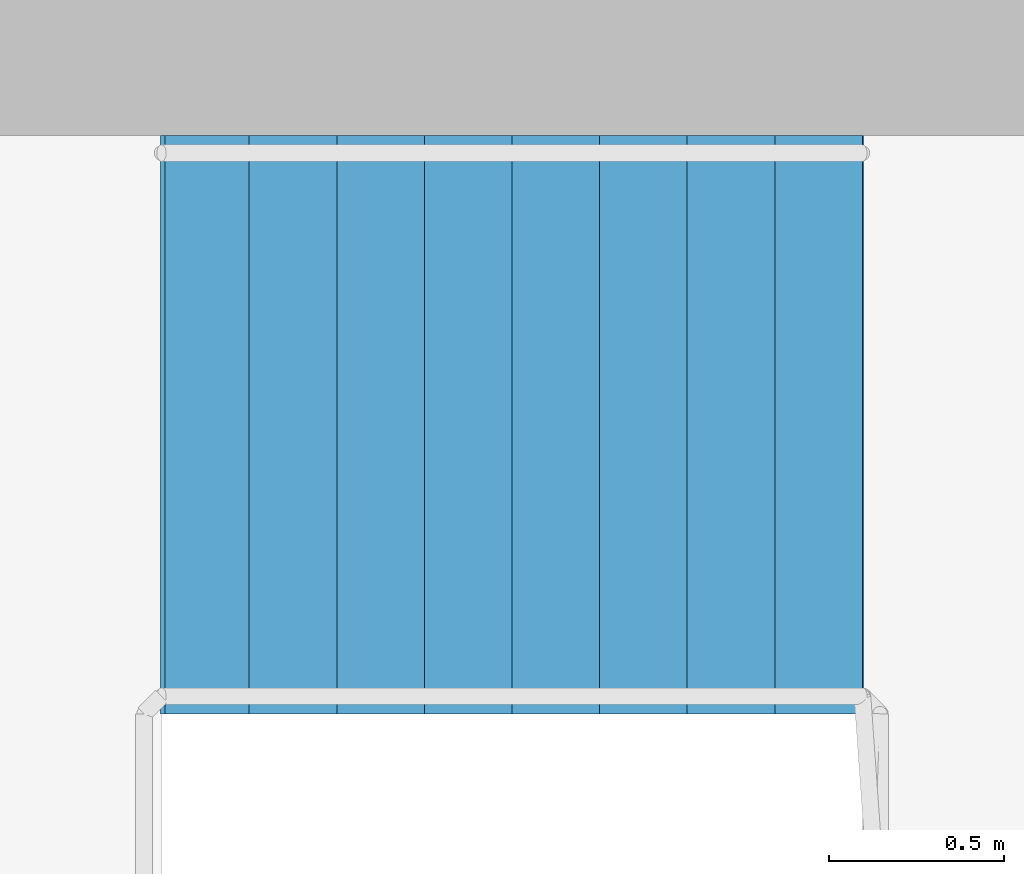
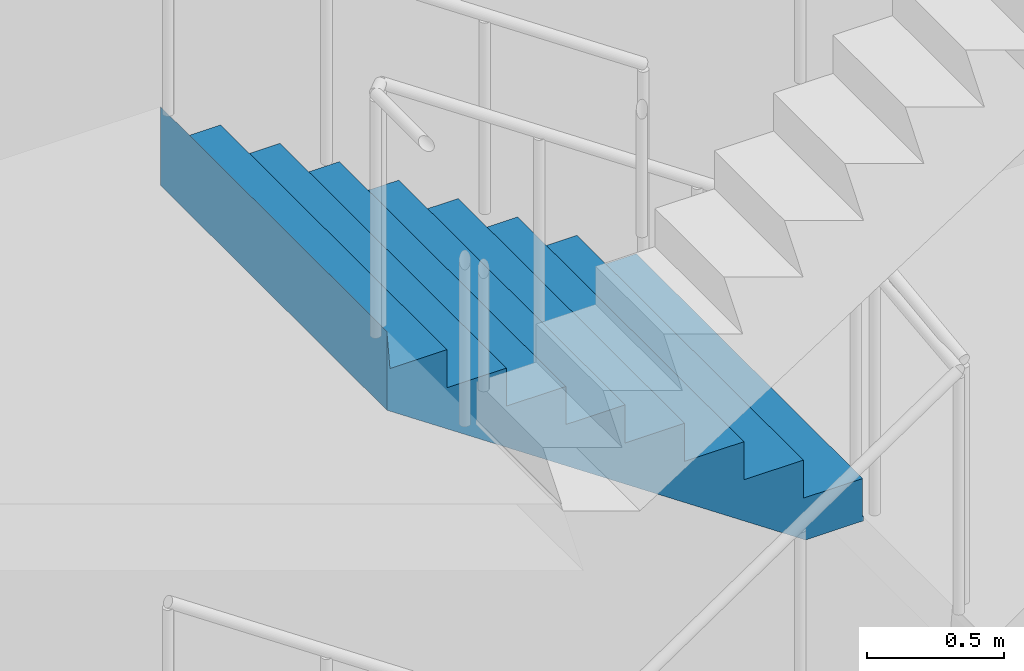
# One storey, part 18 of 20: 1 stair flight, 1 element without a shape of its own.
"""IFC4 building model written with IfcOpenShell, lengths in metres."""

import ifcopenshell
import ifcopenshell.guid

model = None  # the IFC model being written
_history = None  # IfcOwnerHistory: only IFC2X3 demands one
_inside = {}  # id of a spatial element -> (the spatial element, [elements in it])
_under = {}  # id of a project, library or spatial element -> (it, [spatial elements below it])
_declared = {}  # id of a project -> (the project, [libraries it declares])
_typed = {}  # id of a type object -> (the type object, [elements of that type])
_made_of = {}  # id of a material, layer set ... -> (it, [elements and type objects made of it])


def new_model(schema):
    """Start an empty IFC model of exactly this schema.

    Asked for "IFC4X3", IfcOpenShell would pick the latest addendum, in which some entities
    have other attributes; the version numbers below select the first issue.
    IFC2X3 requires an IfcOwnerHistory on every rooted entity: one is made here for all.
    """
    global model, _history
    if schema == "IFC4X3":
        model = ifcopenshell.file(schema_version=(4, 3, 0, 0))
    else:
        model = ifcopenshell.file(schema=schema)
    _inside.clear()
    _under.clear()
    _declared.clear()
    _typed.clear()
    _made_of.clear()
    _history = None
    if model.schema == "IFC2X3":
        org = make("IfcOrganization", Name="unknown")
        user = make(
            "IfcPersonAndOrganization",
            ThePerson=make("IfcPerson", FamilyName="unknown"),
            TheOrganization=org,
        )
        app = make(
            "IfcApplication",
            ApplicationDeveloper=org,
            Version="unknown",
            ApplicationFullName="unknown",
            ApplicationIdentifier="unknown",
        )
        _history = make(
            "IfcOwnerHistory",
            OwningUser=user,
            OwningApplication=app,
            ChangeAction="ADDED",
            CreationDate=0,
        )
    return model


def make(cls, **values):
    """One entity of the class cls with the attributes given. An attribute that is None is left unset."""
    return model.create_entity(
        cls, **{name: value for name, value in values.items() if value is not None}
    )


def rooted(cls, **values):
    """An entity with a GlobalId (a new one), such as an element, a storey or a relation."""
    return make(cls, GlobalId=ifcopenshell.guid.new(), OwnerHistory=_history, **values)


def si_unit(unit_type, name, prefix=None):
    """IfcSIUnit, for example si_unit("LENGTHUNIT", "METRE", prefix="MILLI")."""
    return make("IfcSIUnit", UnitType=unit_type, Prefix=prefix, Name=name)


def assignment(units):
    """IfcUnitAssignment: the units of a project."""
    return None if units is None else make("IfcUnitAssignment", Units=units)


def point(xyz):
    """IfcCartesianPoint."""
    return None if xyz is None else make("IfcCartesianPoint", Coordinates=xyz)


def direction(xyz):
    """IfcDirection."""
    return None if xyz is None else make("IfcDirection", DirectionRatios=xyz)


def frame(location, z_axis=None, x_axis=None):
    """IfcAxis2Placement3D, a coordinate frame: its origin and axes. An axis left out is left unset."""
    return make(
        "IfcAxis2Placement3D",
        Location=point(location),
        Axis=direction(z_axis),
        RefDirection=direction(x_axis),
    )


def origin():
    """The frame at (0, 0, 0) with its axes left unset."""
    return frame((0.0, 0.0, 0.0))


def place(relative_to, where):
    """IfcLocalPlacement: puts the frame where relative to a parent placement (None: the world)."""
    return make(
        "IfcLocalPlacement", PlacementRelTo=relative_to, RelativePlacement=where
    )


def context(
    kind, dimensions, precision=None, world=None, true_north=None, identifier=None
):
    """IfcGeometricRepresentationContext, for example the 3D "Model" context."""
    return make(
        "IfcGeometricRepresentationContext",
        ContextIdentifier=identifier,
        ContextType=kind,
        CoordinateSpaceDimension=dimensions,
        Precision=precision,
        WorldCoordinateSystem=world,
        TrueNorth=true_north,
    )


def subcontext(parent, identifier, kind, view, scale=None):
    """IfcGeometricRepresentationSubContext, for example "Body" below "Model"."""
    return make(
        "IfcGeometricRepresentationSubContext",
        ContextIdentifier=identifier,
        ContextType=kind,
        ParentContext=parent,
        TargetScale=scale,
        TargetView=view,
    )


def project(units=None, contexts=None):
    """IfcProject with its units and contexts."""
    return rooted(
        "IfcProject",
        Name="project",
        RepresentationContexts=contexts,
        UnitsInContext=assignment(units),
    )


def spatial(cls, under=None, at=None, **own):
    """A site, building, storey or space (cls), placed at a placement, below another one or the project."""
    s = rooted(cls, ObjectPlacement=at, **own)
    if under is not None:
        _under.setdefault(under.id(), (under, []))[1].append(s)
    return s


def point_list(points):
    """IfcCartesianPointList2D or 3D."""
    cls = (
        "IfcCartesianPointList2D" if len(points[0]) == 2 else "IfcCartesianPointList3D"
    )
    return make(cls, CoordList=points)


def triangles(points, corners, closed=None, point_numbers=None):
    """IfcTriangulatedFaceSet: each triangle names its three corners, points numbered from 1."""
    return make(
        "IfcTriangulatedFaceSet",
        Coordinates=point_list(points),
        Closed=closed,
        CoordIndex=corners,
        PnIndex=point_numbers,
    )


def shape(context_of_items, identifier, shape_type, items):
    """IfcShapeRepresentation: the items that make up one representation, for example the "Body"."""
    return make(
        "IfcShapeRepresentation",
        ContextOfItems=context_of_items,
        RepresentationIdentifier=identifier,
        RepresentationType=shape_type,
        Items=items,
    )


def material(Name=None, Category=None):
    """IfcMaterial."""
    return make("IfcMaterial", Name=Name, Category=Category)


def made_of(thing, what):
    """Note that an element or type object is made of a material, layer set ...; save() writes the relation."""
    if what is not None:
        _made_of.setdefault(what.id(), (what, []))[1].append(thing)
    return thing


def type_object(cls, material=None, **own):
    """A type object (cls), such as IfcWallType, which elements share."""
    return made_of(rooted(cls, **own), material)


def element(
    cls,
    number,
    at=None,
    inside=None,
    cuts=None,
    type_object=None,
    material=None,
    context=None,
    identifier="Body",
    shape_type=None,
    held_by="IfcProductDefinitionShape",
    body=None,
    shapes=None,
    **own,
):
    """One element of the class cls, such as IfcWall. Its Tag is "e" and its number.

    at: its placement. inside: the storey or other place that contains it. cuts: it is an
    opening in that element (IfcRelVoidsElement). A single representation is given by context,
    identifier, shape_type and body (its items); several are given by shapes. held_by: the class
    of the entity that holds the representations. save() writes the other relations.
    """
    e = rooted(cls, Tag="e%d" % number, ObjectPlacement=at, **own)
    if body is not None:
        shapes = [shape(context, identifier, shape_type, body)]
    if shapes is not None:
        e.Representation = make(held_by, Representations=shapes)
    if inside is not None:
        _inside.setdefault(inside.id(), (inside, []))[1].append(e)
    if cuts is not None:
        rooted(
            "IfcRelVoidsElement", RelatingBuildingElement=cuts, RelatedOpeningElement=e
        )
    if type_object is not None:
        _typed.setdefault(type_object.id(), (type_object, []))[1].append(e)
    return made_of(e, material)


def aggregate(whole, parts):
    """IfcRelAggregates: a whole, such as a stair, and the parts it consists of."""
    return rooted("IfcRelAggregates", RelatingObject=whole, RelatedObjects=parts)


def save(model, path):
    """Write the relations noted so far, then the file.

    IfcRelAggregates (storeys below a building ...), IfcRelContainedInSpatialStructure (elements
    in a storey), IfcRelDefinesByType, IfcRelAssociatesMaterial and IfcRelDeclares: one each for
    every whole, place, type object, material and project.
    """
    for whole, parts in _under.values():
        aggregate(whole, parts)
    for where, things in _inside.values():
        rooted(
            "IfcRelContainedInSpatialStructure",
            RelatedElements=things,
            RelatingStructure=where,
        )
    for kind, things in _typed.values():
        rooted("IfcRelDefinesByType", RelatedObjects=things, RelatingType=kind)
    for what, things in _made_of.values():
        rooted("IfcRelAssociatesMaterial", RelatedObjects=things, RelatingMaterial=what)
    for by, libraries in _declared.values():
        rooted("IfcRelDeclares", RelatingContext=by, RelatedDefinitions=libraries)
    model.write(path)


model = new_model("IFC4")

# Units and contexts
model_context = context("Model", 3, precision=1e-05, world=origin(), true_north=direction((0.0, 1.0)))
body_context = subcontext(model_context, "Body", "Model", "MODEL_VIEW")
ifc_project = project(units=[si_unit("LENGTHUNIT", "METRE"), si_unit("AREAUNIT", "SQUARE_METRE"), si_unit("VOLUMEUNIT", "CUBIC_METRE"), si_unit("PLANEANGLEUNIT", "RADIAN"), si_unit("MASSUNIT", "GRAM", prefix="KILO")], contexts=[model_context])

# Site, building, storey
site_placement = place(None, origin())
site = spatial("IfcSite", under=ifc_project, at=site_placement, CompositionType="ELEMENT")
building_placement = place(site_placement, origin())
building = spatial("IfcBuilding", under=site, at=building_placement, Name="Maasbend Ring Residences", CompositionType="ELEMENT")
storey_placement = place(building_placement, frame((0.0, 0.0, 255.39990234375)))
storey = spatial("IfcBuildingStorey", under=building, at=storey_placement, Name="L74", CompositionType="ELEMENT", Elevation=255.39990234375)

# Stair, stair flight
ifc_material_1 = material(Name="Concrete C40/50", Category="concrete")
stair_type = type_object("IfcStairType", Name="CORE STAIR 36 RISERS", PredefinedType="HALF_TURN_STAIR", material=ifc_material_1)
stair_placement = place(storey_placement, origin())
stair = element("IfcStair", 1, at=stair_placement, inside=storey, type_object=stair_type, Name="L74 Exit stair ST-E1", PredefinedType="HALF_TURN_STAIR")
ifc_material_2 = material(Name="Concrete C40/50", Category="concrete")
stair_flight_type = type_object("IfcStairFlightType", Name="CORE STAIR FLIGHT 1650", PredefinedType="STRAIGHT", material=ifc_material_2)
stair_flight_placement = place(storey_placement, frame((13.550048828125, 7.77490234375, 3.050048828125), z_axis=(0.0, 0.0, 1.0), x_axis=(-1.0, 0.0, 0.0)))
stair_flight = element("IfcStairFlight", 2, at=stair_flight_placement, type_object=stair_flight_type, Name="ST-E1 flight 3", NumberOfRisers=9, NumberOfTreads=8, PredefinedType="STRAIGHT", RiserHeight=0.169444444, TreadLength=0.25, context=body_context, shape_type="Tessellation", body=[
    triangles([(0.24072265625, 0.824951171875, -0.02001953125), (2.0029296875, 0.824951171875, 1.174560546875), (2.0029296875, 0.824951171875, 1.52490234375), (1.989990234375, 0.824951171875, 1.35546875), (1.75, 0.824951171875, 1.35546875), (1.75, 0.824951171875, 1.18603515625), (1.5, 0.824951171875, 1.18603515625), (1.5, 0.824951171875, 1.0166015625), (1.25, 0.824951171875, 1.0166015625), (1.25, 0.824951171875, 0.84716796875), (1.0, 0.824951171875, 0.84716796875), (1.0, 0.824951171875, 0.677734375), (0.75, 0.824951171875, 0.677734375), (0.75, 0.824951171875, 0.50830078125), (0.5, 0.824951171875, 0.50830078125), (0.5, 0.824951171875, 0.3388671875), (0.25, 0.824951171875, 0.3388671875), (0.25, 0.824951171875, 0.16943359375), (0.0, 0.824951171875, 0.16943359375), (0.0, 0.824951171875, 0.0), (-0.0029296875, 0.824951171875, 0.0), (-0.0029296875, 0.824951171875, -0.02001953125), (0.24072265625, 0.27490234375, -0.02001953125), (2.0029296875, 0.27490234375, 1.174560546875), (2.0029296875, 0.27490234375, 1.52490234375), (1.989990234375, 0.27490234375, 1.35546875), (1.75, 0.27490234375, 1.35546875), (1.75, 0.27490234375, 1.18603515625), (1.5, 0.27490234375, 1.18603515625), (1.5, 0.27490234375, 1.0166015625), (1.25, 0.27490234375, 1.0166015625), (1.25, 0.27490234375, 0.84716796875), (1.0, 0.27490234375, 0.84716796875), (1.0, 0.27490234375, 0.677734375), (0.75, 0.27490234375, 0.677734375), (0.75, 0.27490234375, 0.50830078125), (0.5, 0.27490234375, 0.50830078125), (0.5, 0.27490234375, 0.3388671875), (0.25, 0.27490234375, 0.3388671875), (0.25, 0.27490234375, 0.16943359375), (0.0, 0.27490234375, 0.16943359375), (0.0, 0.27490234375, 0.0), (-0.0029296875, 0.27490234375, 0.0), (-0.0029296875, 0.27490234375, -0.02001953125), (0.24072265625, -0.27490234375, -0.02001953125), (2.0029296875, -0.27490234375, 1.174560546875), (2.0029296875, -0.27490234375, 1.52490234375), (1.989990234375, -0.27490234375, 1.35546875), (1.75, -0.27490234375, 1.35546875), (1.75, -0.27490234375, 1.18603515625), (1.5, -0.27490234375, 1.18603515625), (1.5, -0.27490234375, 1.0166015625), (1.25, -0.27490234375, 1.0166015625), (1.25, -0.27490234375, 0.84716796875), (1.0, -0.27490234375, 0.84716796875), (1.0, -0.27490234375, 0.677734375), (0.75, -0.27490234375, 0.677734375), (0.75, -0.27490234375, 0.50830078125), (0.5, -0.27490234375, 0.50830078125), (0.5, -0.27490234375, 0.3388671875), (0.25, -0.27490234375, 0.3388671875), (0.25, -0.27490234375, 0.16943359375), (0.0, -0.27490234375, 0.16943359375), (0.0, -0.27490234375, 0.0), (-0.0029296875, -0.27490234375, 0.0), (-0.0029296875, -0.27490234375, -0.02001953125), (0.24072265625, -0.824951171875, -0.02001953125), (2.0029296875, -0.824951171875, 1.174560546875), (2.0029296875, -0.824951171875, 1.52490234375), (1.989990234375, -0.824951171875, 1.35546875), (1.75, -0.824951171875, 1.35546875), (1.75, -0.824951171875, 1.18603515625), (1.5, -0.824951171875, 1.18603515625), (1.5, -0.824951171875, 1.0166015625), (1.25, -0.824951171875, 1.0166015625), (1.25, -0.824951171875, 0.84716796875), (1.0, -0.824951171875, 0.84716796875), (1.0, -0.824951171875, 0.677734375), (0.75, -0.824951171875, 0.677734375), (0.75, -0.824951171875, 0.50830078125), (0.5, -0.824951171875, 0.50830078125), (0.5, -0.824951171875, 0.3388671875), (0.25, -0.824951171875, 0.3388671875), (0.25, -0.824951171875, 0.16943359375), (0.0, -0.824951171875, 0.16943359375), (0.0, -0.824951171875, 0.0), (-0.0029296875, -0.824951171875, 0.0), (-0.0029296875, -0.824951171875, -0.02001953125)], [[1, 2, 24], [1, 24, 23], [23, 24, 46], [23, 46, 45], [45, 46, 68], [45, 68, 67], [2, 3, 25], [2, 25, 24], [24, 25, 47], [24, 47, 46], [46, 47, 69], [46, 69, 68], [3, 4, 26], [3, 26, 25], [25, 26, 48], [25, 48, 47], [47, 48, 70], [47, 70, 69], [4, 5, 27], [4, 27, 26], [26, 27, 49], [26, 49, 48], [48, 49, 71], [48, 71, 70], [5, 6, 28], [5, 28, 27], [27, 28, 50], [27, 50, 49], [49, 50, 72], [49, 72, 71], [6, 7, 29], [6, 29, 28], [28, 29, 51], [28, 51, 50], [50, 51, 73], [50, 73, 72], [7, 8, 30], [7, 30, 29], [29, 30, 52], [29, 52, 51], [51, 52, 74], [51, 74, 73], [8, 9, 31], [8, 31, 30], [30, 31, 53], [30, 53, 52], [52, 53, 75], [52, 75, 74], [9, 10, 32], [9, 32, 31], [31, 32, 54], [31, 54, 53], [53, 54, 76], [53, 76, 75], [10, 11, 33], [10, 33, 32], [32, 33, 55], [32, 55, 54], [54, 55, 77], [54, 77, 76], [11, 12, 34], [11, 34, 33], [33, 34, 56], [33, 56, 55], [55, 56, 78], [55, 78, 77], [12, 13, 35], [12, 35, 34], [34, 35, 57], [34, 57, 56], [56, 57, 79], [56, 79, 78], [13, 14, 36], [13, 36, 35], [35, 36, 58], [35, 58, 57], [57, 58, 80], [57, 80, 79], [14, 15, 37], [14, 37, 36], [36, 37, 59], [36, 59, 58], [58, 59, 81], [58, 81, 80], [15, 16, 38], [15, 38, 37], [37, 38, 60], [37, 60, 59], [59, 60, 82], [59, 82, 81], [16, 17, 39], [16, 39, 38], [38, 39, 61], [38, 61, 60], [60, 61, 83], [60, 83, 82], [17, 18, 40], [17, 40, 39], [39, 40, 62], [39, 62, 61], [61, 62, 84], [61, 84, 83], [18, 19, 41], [18, 41, 40], [40, 41, 63], [40, 63, 62], [62, 63, 85], [62, 85, 84], [19, 20, 42], [19, 42, 41], [41, 42, 64], [41, 64, 63], [63, 64, 86], [63, 86, 85], [20, 21, 43], [20, 43, 42], [42, 43, 65], [42, 65, 64], [64, 65, 87], [64, 87, 86], [21, 22, 44], [21, 44, 43], [43, 44, 66], [43, 66, 65], [65, 66, 88], [65, 88, 87], [22, 1, 23], [22, 23, 44], [44, 23, 45], [44, 45, 66], [66, 45, 67], [66, 67, 88], [22, 2, 1], [2, 4, 3], [2, 5, 4], [2, 6, 5], [22, 6, 2], [6, 8, 7], [22, 8, 6], [8, 10, 9], [22, 10, 8], [10, 12, 11], [22, 12, 10], [12, 14, 13], [22, 14, 12], [14, 16, 15], [22, 16, 14], [16, 18, 17], [22, 18, 16], [18, 20, 19], [22, 20, 18], [20, 22, 21], [88, 67, 68], [68, 69, 70], [68, 70, 71], [68, 71, 72], [88, 68, 72], [72, 73, 74], [88, 72, 74], [74, 75, 76], [88, 74, 76], [76, 77, 78], [88, 76, 78], [78, 79, 80], [88, 78, 80], [80, 81, 82], [88, 80, 82], [82, 83, 84], [88, 82, 84], [84, 85, 86], [88, 84, 86], [86, 87, 88]], closed=True),
])
aggregate(stair, [stair_flight])

save(model, "model.ifc")
